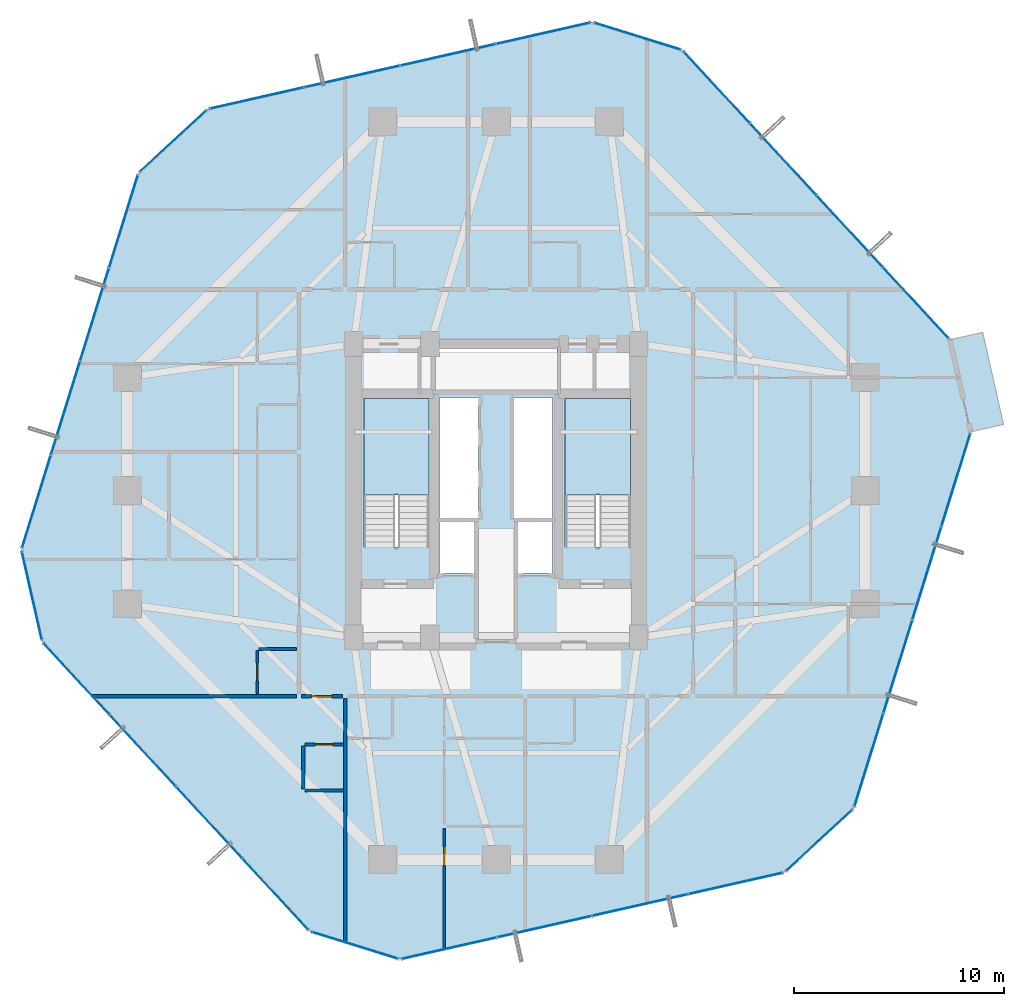
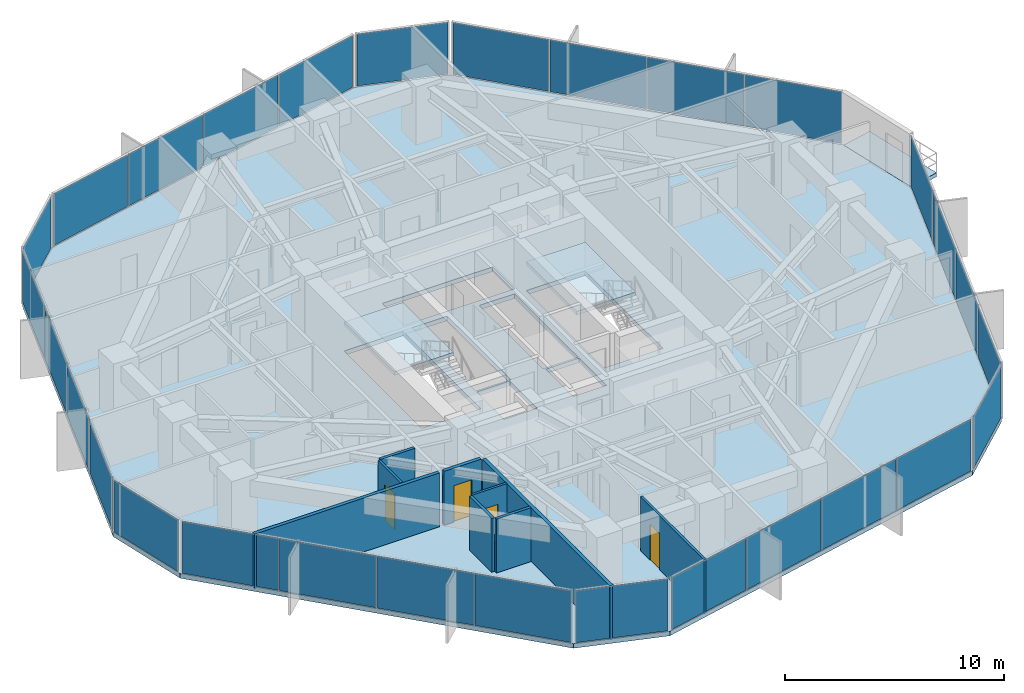
# One storey, part 33 of 39: 29 plates, 9 walls, 4 doors, 4 slabs, 4 openings, 13 elements without a shape of their own.
"""IFC4 building model written with IfcOpenShell, lengths in metres."""

from ifc_helpers import new_model, si_unit, direction, frame, frame_2d, origin, origin_2d, place, context, subcontext, project, spatial, polyline, rectangle, outline, extrude, source, transform, mapped, material, layer, layer_set, type_object, element, fill, aggregate, save


model = new_model("IFC4")

# Units and contexts
model_context = context("Model", 3, precision=1e-05, world=origin(), true_north=direction((0.0, 1.0)))
body_context = subcontext(model_context, "Body", "Model", "MODEL_VIEW")
ifc_project = project(units=[si_unit("LENGTHUNIT", "METRE"), si_unit("AREAUNIT", "SQUARE_METRE"), si_unit("VOLUMEUNIT", "CUBIC_METRE"), si_unit("PLANEANGLEUNIT", "RADIAN"), si_unit("MASSUNIT", "GRAM", prefix="KILO")], contexts=[model_context])

# Site, building, storey
site_placement = place(None, origin())
site = spatial("IfcSite", under=ifc_project, at=site_placement, CompositionType="ELEMENT")
building_placement = place(site_placement, origin())
building = spatial("IfcBuilding", under=site, at=building_placement, Name="Veraguas Prism Commons", CompositionType="ELEMENT")
storey_placement = place(building_placement, frame((0.0, 0.0, 67.35009765625)))
storey = spatial("IfcBuildingStorey", under=building, at=storey_placement, Name="L18", CompositionType="ELEMENT", Elevation=67.35009765625)

# Stair, slab
ifc_material_1 = material(Name="Precast concrete C45/55", Category="concrete")
stair_type = type_object("IfcStairType", Name="Dogleg Core Stair 1480W 20R 05", PredefinedType="HALF_TURN_STAIR", material=ifc_material_1)
stair_1_placement = place(storey_placement, origin())
stair_1 = element("IfcStair", 1, at=stair_1_placement, inside=storey, type_object=stair_type, Name="Protected Exit Stair ST-01 L18", PredefinedType="HALF_TURN_STAIR")
ifc_layer_1 = layer(ifc_material_1, 0.199951171875, Name="Precast Stair and Ramp Landing Slab 200", Category="concrete")
ifc_layer_set_1 = layer_set([ifc_layer_1], Name="Precast concrete C45/55")
slab_type_1 = type_object("IfcSlabType", Name="Precast Stair and Ramp Landing Slab 200", PredefinedType="LANDING", material=ifc_layer_set_1)
slab_1_placement = place(storey_placement, frame((0.0, 0.0, 1.4248046875)))
slab_1 = element("IfcSlab", 2, at=slab_1_placement, type_object=slab_type_1, Name="ST-05 Landing 1", PredefinedType="LANDING", context=body_context, shape_type="SweptSolid", body=[
    extrude(outline(polyline([(20.800048828125, 23.800048828125), (20.800048828125, 28.39990234375), (17.68994140625, 28.39990234375), (17.68994140625, 23.800048828125), (20.800048828125, 23.800048828125)])), origin(), (0.0, 0.0, 1.0), 0.2001953125),
])
aggregate(stair_1, [slab_1])

stair_2_placement = place(storey_placement, origin())
stair_2 = element("IfcStair", 3, at=stair_2_placement, inside=storey, type_object=stair_type, Name="Protected Exit Stair ST-02 L18", PredefinedType="HALF_TURN_STAIR")
slab_2_placement = place(storey_placement, frame((0.0, 0.0, 1.4248046875)))
slab_2 = element("IfcSlab", 4, at=slab_2_placement, type_object=slab_type_1, Name="ST-05 Landing 1", PredefinedType="LANDING", context=body_context, shape_type="SweptSolid", body=[
    extrude(outline(polyline([(30.39990234375, 23.800048828125), (30.39990234375, 28.39990234375), (27.2900390625, 28.39990234375), (27.2900390625, 23.800048828125), (30.39990234375, 23.800048828125)])), origin(), (0.0, 0.0, 1.0), 0.2001953125),
])
aggregate(stair_2, [slab_2])

# Slabs
ifc_material_2 = material(Name="Concrete C45/55", Category="concrete")
ifc_layer_2 = layer(ifc_material_2, 0.219970703125, Name="Recessed Loggia and Terrace Slab RC 220", Category="concrete")
ifc_layer_set_2 = layer_set([ifc_layer_2], Name="Concrete C45/55")
slab_type_2 = type_object("IfcSlabType", Name="Recessed Loggia and Terrace Slab RC 220", PredefinedType="FLOOR", material=ifc_layer_set_2)
slab_3_placement = place(storey_placement, frame((0.0, 0.0, -0.22021484375)))
element("IfcSlab", 5, at=slab_3_placement, inside=storey, type_object=slab_type_2, Name="Recessed Corner Loggia L18-C1", PredefinedType="FLOOR", context=body_context, shape_type="SweptSolid", body=[
    extrude(outline(polyline([(46.618896484375, 26.80712890625), (48.198974609375, 27.16455078125), (47.20654296875, 31.5537109375), (45.62646484375, 31.1962890625), (46.618896484375, 26.80712890625)])), origin(), (0.0, 0.0, 1.0), 0.22021484375),
])
ifc_layer_3 = layer(ifc_material_2, 0.25, Name="Tower Lower Residential Floor Slab RC 250", Category="concrete")
ifc_layer_set_3 = layer_set([ifc_layer_3], Name="Concrete C45/55")
slab_type_3 = type_object("IfcSlabType", Name="Tower Lower Residential Floor Slab RC 250", PredefinedType="FLOOR", material=ifc_layer_set_3)
slab_4_placement = place(storey_placement, frame((0.0, 0.0, -0.25)))
element("IfcSlab", 6, at=slab_4_placement, inside=storey, type_object=slab_type_3, Name="Tower Floor Slab L18", PredefinedType="FLOOR", context=body_context, shape_type="SweptSolid", body=[
    extrude(outline(polyline([(46.63818359375, 26.8115234375), (45.64599609375, 31.20068359375), (32.88427734375, 45.010986328125), (28.5869140625, 46.34619140625), (10.24609375, 42.199462890625), (6.94091796875, 39.1455078125), (1.36181640625, 21.1884765625), (2.35400390625, 16.79931640625), (15.11572265625, 2.989013671875), (19.4130859375, 1.65380859375), (37.75390625, 5.800537109375), (41.05908203125, 8.8544921875), (46.63818359375, 26.8115234375)]), holes=[polyline([(20.800048828125, 21.31005859375), (20.800048828125, 28.39990234375), (17.68994140625, 28.39990234375), (17.68994140625, 21.31005859375), (20.800048828125, 21.31005859375)]), polyline([(30.39990234375, 21.31005859375), (30.39990234375, 28.39990234375), (27.2900390625, 28.39990234375), (27.2900390625, 21.31005859375), (30.39990234375, 21.31005859375)]), polyline([(21.300048828125, 22.64990234375), (23.14990234375, 22.64990234375), (23.14990234375, 28.449951171875), (21.300048828125, 28.449951171875), (21.300048828125, 22.64990234375)]), polyline([(24.85009765625, 22.64990234375), (26.699951171875, 22.64990234375), (26.699951171875, 28.449951171875), (24.85009765625, 28.449951171875), (24.85009765625, 22.64990234375)]), polyline([(21.10009765625, 28.800048828125), (26.89990234375, 28.800048828125), (26.89990234375, 30.800048828125), (21.10009765625, 30.800048828125), (21.10009765625, 28.800048828125)]), polyline([(21.300048828125, 20.050048828125), (23.050048828125, 20.050048828125), (23.050048828125, 22.550048828125), (21.300048828125, 22.550048828125), (21.300048828125, 20.050048828125)]), polyline([(24.949951171875, 20.050048828125), (26.699951171875, 20.050048828125), (26.699951171875, 22.550048828125), (24.949951171875, 22.550048828125), (24.949951171875, 20.050048828125)])]), origin(), (0.0, 0.0, 1.0), 0.25),
])

# Curtain wall, plates
ifc_material_3 = material(Name="Anodised aluminium EN AW-6063 T6", Category="aluminium")
ifc_layer_4 = layer(ifc_material_3, 0.169921875, Name="Unitised Flush Curtain Wall Zone 1", Category="aluminium")
ifc_layer_set_4 = layer_set([ifc_layer_4], Name="Anodised aluminium EN AW-6063 T6")
curtain_wall_type = type_object("IfcCurtainWallType", Name="Unitised Flush Curtain Wall Zone 1", PredefinedType="NOTDEFINED", material=ifc_layer_set_4)
curtain_wall_1_placement = place(storey_placement, origin())
curtain_wall_1 = element("IfcCurtainWall", 7, at=curtain_wall_1_placement, inside=storey, type_object=curtain_wall_type, Name="Tower Facade Curtain Wall L18-F1", PredefinedType="NOTDEFINED")
ifc_material_4 = material(Name="Laminated low-e glass", Category="glass")
ifc_layer_5 = layer(ifc_material_4, 0.028076171875, Name="Unitised Double Low-E Glazed Panel 28", Category="glass")
ifc_layer_set_5 = layer_set([ifc_layer_5], Name="Laminated low-e glass")
plate_type = type_object("IfcPlateType", Name="Unitised Double Low-E Glazed Panel 28", PredefinedType="CURTAIN_PANEL", material=ifc_layer_set_5)
shared_shape_1 = source(origin(), body_context, "Body", "SweptSolid", [
    extrude(rectangle(XDim=4.5810546875, YDim=0.028076171875, at=origin_2d()), origin(), (0.0, 0.0, 1.0), 2.889892578125),
])
plate_1_placement = place(storey_placement, frame((44.010009765625, 32.97119140625, 0.05517578125), z_axis=(0.0, 0.0, 1.0), x_axis=(-0.678677699088, 0.734436233284, 0.0)))
plate_1 = element("IfcPlate", 8, at=plate_1_placement, type_object=plate_type, Name="CW-Z1 Panel 1.1", PredefinedType="CURTAIN_PANEL", context=body_context, shape_type="MappedRepresentation", body=[
    mapped(shared_shape_1, transform((0.0, 0.0, 0.0), scale=1.0)),
])
plate_2_placement = place(storey_placement, frame((34.52001953125, 43.24072265625, 0.05517578125), z_axis=(0.0, 0.0, 1.0), x_axis=(-0.678677699088, 0.734436233284, 0.0)))
plate_2 = element("IfcPlate", 9, at=plate_2_placement, type_object=plate_type, Name="CW-Z1 Panel 4.1", PredefinedType="CURTAIN_PANEL", context=body_context, shape_type="MappedRepresentation", body=[
    mapped(shared_shape_1, transform((0.0, 0.0, 0.0), scale=1.0)),
])

curtain_wall_2_placement = place(storey_placement, origin())
curtain_wall_2 = element("IfcCurtainWall", 10, at=curtain_wall_2_placement, inside=storey, type_object=curtain_wall_type, Name="Tower Facade Curtain Wall L18-F2", PredefinedType="NOTDEFINED")
plate_3_placement = place(storey_placement, frame((26.23583984375, 45.814697265625, 0.05517578125), z_axis=(0.0, 0.0, 1.0), x_axis=(-0.975379669931, -0.220532309392, 0.0)))
plate_3 = element("IfcPlate", 11, at=plate_3_placement, type_object=plate_type, Name="CW-Z1 Panel 1.1", PredefinedType="CURTAIN_PANEL", context=body_context, shape_type="MappedRepresentation", body=[
    mapped(shared_shape_1, transform((0.0, 0.0, 0.0), scale=1.0)),
])
plate_4_placement = place(storey_placement, frame((12.59716796875, 42.73095703125, 0.05517578125), z_axis=(0.0, 0.0, 1.0), x_axis=(-0.975379669931, -0.220532309392, 0.0)))
plate_4 = element("IfcPlate", 12, at=plate_4_placement, type_object=plate_type, Name="CW-Z1 Panel 4.1", PredefinedType="CURTAIN_PANEL", context=body_context, shape_type="MappedRepresentation", body=[
    mapped(shared_shape_1, transform((0.0, 0.0, 0.0), scale=1.0)),
])

curtain_wall_3_placement = place(storey_placement, origin())
curtain_wall_3 = element("IfcCurtainWall", 13, at=curtain_wall_3_placement, inside=storey, type_object=curtain_wall_type, Name="Tower Facade Curtain Wall L18-F3", PredefinedType="NOTDEFINED")
plate_5_placement = place(storey_placement, frame((6.225830078125, 36.843505859375, 0.05517578125), z_axis=(0.0, 0.0, 1.0), x_axis=(-0.296709919616, -0.954967655788, 0.0)))
plate_5 = element("IfcPlate", 14, at=plate_5_placement, type_object=plate_type, Name="CW-Z1 Panel 1.1", PredefinedType="CURTAIN_PANEL", context=body_context, shape_type="MappedRepresentation", body=[
    mapped(shared_shape_1, transform((0.0, 0.0, 0.0), scale=1.0)),
])
plate_6_placement = place(storey_placement, frame((2.076904296875, 23.490234375, 0.05517578125), z_axis=(0.0, 0.0, 1.0), x_axis=(-0.296709919616, -0.954967655788, 0.0)))
plate_6 = element("IfcPlate", 15, at=plate_6_placement, type_object=plate_type, Name="CW-Z1 Panel 4.1", PredefinedType="CURTAIN_PANEL", context=body_context, shape_type="MappedRepresentation", body=[
    mapped(shared_shape_1, transform((0.0, 0.0, 0.0), scale=1.0)),
])

curtain_wall_4_placement = place(storey_placement, origin())
curtain_wall_4 = element("IfcCurtainWall", 16, at=curtain_wall_4_placement, inside=storey, type_object=curtain_wall_type, Name="Tower Facade Curtain Wall L18-F4", PredefinedType="NOTDEFINED")
plate_7_placement = place(storey_placement, frame((3.989990234375, 15.02880859375, 0.05517578125), z_axis=(0.0, 0.0, 1.0), x_axis=(0.678677699088, -0.734436233284, 0.0)))
plate_7 = element("IfcPlate", 17, at=plate_7_placement, type_object=plate_type, Name="CW-Z1 Panel 1.1", PredefinedType="CURTAIN_PANEL", context=body_context, shape_type="MappedRepresentation", body=[
    mapped(shared_shape_1, transform((0.0, 0.0, 0.0), scale=1.0)),
])
plate_8_placement = place(storey_placement, frame((13.47998046875, 4.75927734375, 0.05517578125), z_axis=(0.0, 0.0, 1.0), x_axis=(0.678677699088, -0.734436233284, 0.0)))
plate_8 = element("IfcPlate", 18, at=plate_8_placement, type_object=plate_type, Name="CW-Z1 Panel 4.1", PredefinedType="CURTAIN_PANEL", context=body_context, shape_type="MappedRepresentation", body=[
    mapped(shared_shape_1, transform((0.0, 0.0, 0.0), scale=1.0)),
])

curtain_wall_5_placement = place(storey_placement, origin())
curtain_wall_5 = element("IfcCurtainWall", 19, at=curtain_wall_5_placement, inside=storey, type_object=curtain_wall_type, Name="Tower Facade Curtain Wall L18-F5", PredefinedType="NOTDEFINED")
plate_9_placement = place(storey_placement, frame((21.76416015625, 2.185302734375, 0.05517578125), z_axis=(0.0, 0.0, 1.0), x_axis=(0.975379669931, 0.220532309392, 0.0)))
plate_9 = element("IfcPlate", 20, at=plate_9_placement, type_object=plate_type, Name="CW-Z1 Panel 1.1", PredefinedType="CURTAIN_PANEL", context=body_context, shape_type="MappedRepresentation", body=[
    mapped(shared_shape_1, transform((0.0, 0.0, 0.0), scale=1.0)),
])
plate_10_placement = place(storey_placement, frame((35.40283203125, 5.26904296875, 0.05517578125), z_axis=(0.0, 0.0, 1.0), x_axis=(0.975379669931, 0.220532309392, 0.0)))
plate_10 = element("IfcPlate", 21, at=plate_10_placement, type_object=plate_type, Name="CW-Z1 Panel 4.1", PredefinedType="CURTAIN_PANEL", context=body_context, shape_type="MappedRepresentation", body=[
    mapped(shared_shape_1, transform((0.0, 0.0, 0.0), scale=1.0)),
])

curtain_wall_6_placement = place(storey_placement, origin())
curtain_wall_6 = element("IfcCurtainWall", 22, at=curtain_wall_6_placement, inside=storey, type_object=curtain_wall_type, Name="Tower Facade Curtain Wall L18-F6", PredefinedType="NOTDEFINED")
plate_11_placement = place(storey_placement, frame((41.774169921875, 11.156494140625, 0.05517578125), z_axis=(0.0, 0.0, 1.0), x_axis=(0.296709919616, 0.954967655788, 0.0)))
plate_11 = element("IfcPlate", 23, at=plate_11_placement, type_object=plate_type, Name="CW-Z1 Panel 1.1", PredefinedType="CURTAIN_PANEL", context=body_context, shape_type="MappedRepresentation", body=[
    mapped(shared_shape_1, transform((0.0, 0.0, 0.0), scale=1.0)),
])
plate_12_placement = place(storey_placement, frame((45.923095703125, 24.509765625, 0.05517578125), z_axis=(0.0, 0.0, 1.0), x_axis=(0.296709919616, 0.954967655788, 0.0)))
plate_12 = element("IfcPlate", 24, at=plate_12_placement, type_object=plate_type, Name="CW-Z1 Panel 4.1", PredefinedType="CURTAIN_PANEL", context=body_context, shape_type="MappedRepresentation", body=[
    mapped(shared_shape_1, transform((0.0, 0.0, 0.0), scale=1.0)),
])

# Plate
shared_shape_2 = source(origin(), body_context, "Body", "SweptSolid", [
    extrude(rectangle(XDim=4.611083984375, YDim=0.028076171875, at=origin_2d()), origin(), (0.0, 0.0, 1.0), 2.889892578125),
])
plate_13_placement = place(storey_placement, frame((21.6943359375, 44.787841796875, 0.05517578125), z_axis=(0.0, 0.0, 1.0), x_axis=(-0.975379669931, -0.220532309392, 0.0)))
plate_13 = element("IfcPlate", 25, at=plate_13_placement, type_object=plate_type, Name="CW-Z1 Panel 2.1", PredefinedType="CURTAIN_PANEL", context=body_context, shape_type="MappedRepresentation", body=[
    mapped(shared_shape_2, transform((0.0, 0.0, 0.0), scale=1.0)),
])

plate_14_placement = place(storey_placement, frame((17.138427734375, 43.7578125, 0.05517578125), z_axis=(0.0, 0.0, 1.0), x_axis=(-0.975379669931, -0.220532309392, 0.0)))
plate_14 = element("IfcPlate", 26, at=plate_14_placement, type_object=plate_type, Name="CW-Z1 Panel 3.1", PredefinedType="CURTAIN_PANEL", context=body_context, shape_type="MappedRepresentation", body=[
    mapped(shared_shape_2, transform((0.0, 0.0, 0.0), scale=1.0)),
])

aggregate(curtain_wall_2, [plate_3, plate_13, plate_14, plate_4])

plate_15_placement = place(storey_placement, frame((4.84423828125, 32.397216796875, 0.05517578125), z_axis=(0.0, 0.0, 1.0), x_axis=(-0.296709919616, -0.954967655788, 0.0)))
plate_15 = element("IfcPlate", 27, at=plate_15_placement, type_object=plate_type, Name="CW-Z1 Panel 2.1", PredefinedType="CURTAIN_PANEL", context=body_context, shape_type="MappedRepresentation", body=[
    mapped(shared_shape_2, transform((0.0, 0.0, 0.0), scale=1.0)),
])

plate_16_placement = place(storey_placement, frame((3.45849609375, 27.9365234375, 0.05517578125), z_axis=(0.0, 0.0, 1.0), x_axis=(-0.296709919616, -0.954967655788, 0.0)))
plate_16 = element("IfcPlate", 28, at=plate_16_placement, type_object=plate_type, Name="CW-Z1 Panel 3.1", PredefinedType="CURTAIN_PANEL", context=body_context, shape_type="MappedRepresentation", body=[
    mapped(shared_shape_2, transform((0.0, 0.0, 0.0), scale=1.0)),
])

aggregate(curtain_wall_3, [plate_5, plate_15, plate_16, plate_6])

plate_17_placement = place(storey_placement, frame((26.3056640625, 3.212158203125, 0.05517578125), z_axis=(0.0, 0.0, 1.0), x_axis=(0.975379669931, 0.220532309392, 0.0)))
plate_17 = element("IfcPlate", 29, at=plate_17_placement, type_object=plate_type, Name="CW-Z1 Panel 2.1", PredefinedType="CURTAIN_PANEL", context=body_context, shape_type="MappedRepresentation", body=[
    mapped(shared_shape_2, transform((0.0, 0.0, 0.0), scale=1.0)),
])

plate_18_placement = place(storey_placement, frame((30.861572265625, 4.2421875, 0.05517578125), z_axis=(0.0, 0.0, 1.0), x_axis=(0.975379669931, 0.220532309392, 0.0)))
plate_18 = element("IfcPlate", 30, at=plate_18_placement, type_object=plate_type, Name="CW-Z1 Panel 3.1", PredefinedType="CURTAIN_PANEL", context=body_context, shape_type="MappedRepresentation", body=[
    mapped(shared_shape_2, transform((0.0, 0.0, 0.0), scale=1.0)),
])

aggregate(curtain_wall_5, [plate_9, plate_17, plate_18, plate_10])

plate_19_placement = place(storey_placement, frame((43.15576171875, 15.602783203125, 0.05517578125), z_axis=(0.0, 0.0, 1.0), x_axis=(0.296709919616, 0.954967655788, 0.0)))
plate_19 = element("IfcPlate", 31, at=plate_19_placement, type_object=plate_type, Name="CW-Z1 Panel 2.1", PredefinedType="CURTAIN_PANEL", context=body_context, shape_type="MappedRepresentation", body=[
    mapped(shared_shape_2, transform((0.0, 0.0, 0.0), scale=1.0)),
])

plate_20_placement = place(storey_placement, frame((44.54150390625, 20.0634765625, 0.05517578125), z_axis=(0.0, 0.0, 1.0), x_axis=(0.296709919616, 0.954967655788, 0.0)))
plate_20 = element("IfcPlate", 32, at=plate_20_placement, type_object=plate_type, Name="CW-Z1 Panel 3.1", PredefinedType="CURTAIN_PANEL", context=body_context, shape_type="MappedRepresentation", body=[
    mapped(shared_shape_2, transform((0.0, 0.0, 0.0), scale=1.0)),
])

aggregate(curtain_wall_6, [plate_11, plate_19, plate_20, plate_12])

shared_shape_3 = source(origin(), body_context, "Body", "SweptSolid", [
    extrude(rectangle(XDim=4.61083984375, YDim=0.028076171875, at=origin_2d()), origin(), (0.0, 0.0, 1.0), 2.889892578125),
])
plate_21_placement = place(storey_placement, frame((40.85009765625, 36.390625, 0.05517578125), z_axis=(0.0, 0.0, 1.0), x_axis=(-0.678677699088, 0.734436233284, 0.0)))
plate_21 = element("IfcPlate", 33, at=plate_21_placement, type_object=plate_type, Name="CW-Z1 Panel 2.1", PredefinedType="CURTAIN_PANEL", context=body_context, shape_type="MappedRepresentation", body=[
    mapped(shared_shape_3, transform((0.0, 0.0, 0.0), scale=1.0)),
])

plate_22_placement = place(storey_placement, frame((37.679931640625, 39.8212890625, 0.05517578125), z_axis=(0.0, 0.0, 1.0), x_axis=(-0.678677699088, 0.734436233284, 0.0)))
plate_22 = element("IfcPlate", 34, at=plate_22_placement, type_object=plate_type, Name="CW-Z1 Panel 3.1", PredefinedType="CURTAIN_PANEL", context=body_context, shape_type="MappedRepresentation", body=[
    mapped(shared_shape_3, transform((0.0, 0.0, 0.0), scale=1.0)),
])

aggregate(curtain_wall_1, [plate_1, plate_21, plate_22, plate_2])

plate_23_placement = place(storey_placement, frame((7.14990234375, 11.609375, 0.05517578125), z_axis=(0.0, 0.0, 1.0), x_axis=(0.678677699088, -0.734436233284, 0.0)))
plate_23 = element("IfcPlate", 35, at=plate_23_placement, type_object=plate_type, Name="CW-Z1 Panel 2.1", PredefinedType="CURTAIN_PANEL", context=body_context, shape_type="MappedRepresentation", body=[
    mapped(shared_shape_3, transform((0.0, 0.0, 0.0), scale=1.0)),
])

plate_24_placement = place(storey_placement, frame((10.320068359375, 8.1787109375, 0.05517578125), z_axis=(0.0, 0.0, 1.0), x_axis=(0.678677699088, -0.734436233284, 0.0)))
plate_24 = element("IfcPlate", 36, at=plate_24_placement, type_object=plate_type, Name="CW-Z1 Panel 3.1", PredefinedType="CURTAIN_PANEL", context=body_context, shape_type="MappedRepresentation", body=[
    mapped(shared_shape_3, transform((0.0, 0.0, 0.0), scale=1.0)),
])

aggregate(curtain_wall_4, [plate_7, plate_23, plate_24, plate_8])

# Curtain wall, plate
curtain_wall_7_placement = place(storey_placement, origin())
curtain_wall_7 = element("IfcCurtainWall", 37, at=curtain_wall_7_placement, inside=storey, type_object=curtain_wall_type, Name="Chamfer Curtain Wall L18-C2", PredefinedType="NOTDEFINED")
shared_shape_4 = source(origin(), body_context, "Body", "SweptSolid", [
    extrude(rectangle(XDim=4.260009765625, YDim=0.028076171875, at=origin_2d()), origin(), (0.0, 0.0, 1.0), 2.889892578125),
])
plate_25_placement = place(storey_placement, frame((30.735595703125, 45.6787109375, 0.05517578125), z_axis=(0.0, 0.0, 1.0), x_axis=(-0.954965584339, 0.296716586541, 0.0)))
plate_25 = element("IfcPlate", 38, at=plate_25_placement, type_object=plate_type, Name="CW-Z1 Panel 1.1", PredefinedType="CURTAIN_PANEL", context=body_context, shape_type="MappedRepresentation", body=[
    mapped(shared_shape_4, transform((0.0, 0.0, 0.0), scale=1.0)),
])
aggregate(curtain_wall_7, [plate_25])

curtain_wall_8_placement = place(storey_placement, origin())
curtain_wall_8 = element("IfcCurtainWall", 39, at=curtain_wall_8_placement, inside=storey, type_object=curtain_wall_type, Name="Chamfer Curtain Wall L18-C3", PredefinedType="NOTDEFINED")
plate_26_placement = place(storey_placement, frame((8.593505859375, 40.672607421875, 0.05517578125), z_axis=(0.0, 0.0, 1.0), x_axis=(-0.734433864248, -0.67868026275, 0.0)))
plate_26 = element("IfcPlate", 40, at=plate_26_placement, type_object=plate_type, Name="CW-Z1 Panel 1.1", PredefinedType="CURTAIN_PANEL", context=body_context, shape_type="MappedRepresentation", body=[
    mapped(shared_shape_4, transform((0.0, 0.0, 0.0), scale=1.0)),
])
aggregate(curtain_wall_8, [plate_26])

curtain_wall_9_placement = place(storey_placement, origin())
curtain_wall_9 = element("IfcCurtainWall", 41, at=curtain_wall_9_placement, inside=storey, type_object=curtain_wall_type, Name="Chamfer Curtain Wall L18-C4", PredefinedType="NOTDEFINED")
plate_27_placement = place(storey_placement, frame((1.85791015625, 18.993896484375, 0.05517578125), z_axis=(0.0, 0.0, 1.0), x_axis=(0.22054592824, -0.975376590624, 0.0)))
plate_27 = element("IfcPlate", 42, at=plate_27_placement, type_object=plate_type, Name="CW-Z1 Panel 1.1", PredefinedType="CURTAIN_PANEL", context=body_context, shape_type="MappedRepresentation", body=[
    mapped(shared_shape_4, transform((0.0, 0.0, 0.0), scale=1.0)),
])
aggregate(curtain_wall_9, [plate_27])

curtain_wall_10_placement = place(storey_placement, origin())
curtain_wall_10 = element("IfcCurtainWall", 43, at=curtain_wall_10_placement, inside=storey, type_object=curtain_wall_type, Name="Chamfer Curtain Wall L18-C5", PredefinedType="NOTDEFINED")
plate_28_placement = place(storey_placement, frame((17.264404296875, 2.3212890625, 0.05517578125), z_axis=(0.0, 0.0, 1.0), x_axis=(0.954965584339, -0.296716586541, 0.0)))
plate_28 = element("IfcPlate", 44, at=plate_28_placement, type_object=plate_type, Name="CW-Z1 Panel 1.1", PredefinedType="CURTAIN_PANEL", context=body_context, shape_type="MappedRepresentation", body=[
    mapped(shared_shape_4, transform((0.0, 0.0, 0.0), scale=1.0)),
])
aggregate(curtain_wall_10, [plate_28])

curtain_wall_11_placement = place(storey_placement, origin())
curtain_wall_11 = element("IfcCurtainWall", 45, at=curtain_wall_11_placement, inside=storey, type_object=curtain_wall_type, Name="Chamfer Curtain Wall L18-C6", PredefinedType="NOTDEFINED")
plate_29_placement = place(storey_placement, frame((39.406494140625, 7.327392578125, 0.05517578125), z_axis=(0.0, 0.0, 1.0), x_axis=(0.734433864248, 0.67868026275, 0.0)))
plate_29 = element("IfcPlate", 46, at=plate_29_placement, type_object=plate_type, Name="CW-Z1 Panel 1.1", PredefinedType="CURTAIN_PANEL", context=body_context, shape_type="MappedRepresentation", body=[
    mapped(shared_shape_4, transform((0.0, 0.0, 0.0), scale=1.0)),
])
aggregate(curtain_wall_11, [plate_29])

# Walls
ifc_material_5 = material(Name="Autoclaved aerated masonry block 10 MPa", Category="masonry")
ifc_layer_6 = layer(ifc_material_5, 0.179931640625, Name="Corridor and Inter-Tenancy Partition 180", Category="masonry")
ifc_layer_set_6 = layer_set([ifc_layer_6], Name="Autoclaved aerated masonry block 10 MPa")
wall_type_1 = type_object("IfcWallType", Name="Corridor and Inter-Tenancy Partition 180", PredefinedType="PARTITIONING", material=ifc_layer_set_6)
wall_1_placement = place(storey_placement, frame((16.800048828125, 14.080078125, 0.0), z_axis=(0.0, 0.0, 1.0), x_axis=(0.0, -1.0, 0.0)))
element("IfcWall", 47, at=wall_1_placement, inside=storey, type_object=wall_type_1, Name="WL-L18-PT001", PredefinedType="PARTITIONING", context=body_context, shape_type="SweptSolid", body=[
    extrude(rectangle(XDim=11.64599609375, YDim=0.179931640625, at=frame_2d((5.822998046875, 0.0))), origin(), (0.0, 0.0, 1.0), 3.0),
])
wall_2_placement = place(storey_placement, frame((14.47998046875, 14.199951171875, 0.0), z_axis=(0.0, 0.0, 1.0), x_axis=(-1.0, 0.0, 0.0)))
element("IfcWall", 48, at=wall_2_placement, inside=storey, type_object=wall_type_1, Name="WL-L18-PT026", PredefinedType="PARTITIONING", context=body_context, shape_type="SweptSolid", body=[
    extrude(rectangle(XDim=9.764892578125, YDim=0.179931640625, at=frame_2d((4.88232421875, 0.0))), origin(), (0.0, 0.0, 1.0), 3.0),
])

# Wall, opening, door
wall_3_placement = place(storey_placement, frame((14.719970703125, 14.199951171875, 0.0), z_axis=(0.0, 0.0, 1.0), x_axis=(1.0, 0.0, 0.0)))
wall_3 = element("IfcWall", 49, at=wall_3_placement, inside=storey, type_object=wall_type_1, Name="WL-L18-PT060", PredefinedType="PARTITIONING", context=body_context, shape_type="SweptSolid", body=[
    extrude(rectangle(XDim=1.9599609375, YDim=0.179931640625, at=frame_2d((0.97998046875, 0.0))), origin(), (0.0, 0.0, 1.0), 3.0),
])
opening_1_placement = place(wall_3_placement, frame((0.5048828125, 0.0, 0.0)))
opening_1 = element("IfcOpeningElement", 50, at=opening_1_placement, cuts=wall_3, Name="Opening DR-01", PredefinedType="OPENING", context=body_context, shape_type="SweptSolid", body=[
    extrude(rectangle(XDim=0.949951171875, YDim=2.02001953125, at=frame_2d((0.47509765625, 1.010009765625))), frame((0.0, 0.099853515625, 0.0), z_axis=(0.0, -1.0, 0.0), x_axis=(1.0, 0.0, 0.0)), (0.0, 0.0, 1.0), 0.199951171875),
])
door_type_1 = type_object("IfcDoorType", Name="Apartment Entrance Fire Door 950x2020", OperationType="NOTDEFINED", PredefinedType="DOOR", material=ifc_material_3)
shared_shape_5 = source(origin(), body_context, "Body", "SweptSolid", [
    extrude(rectangle(XDim=0.949951171875, YDim=2.02001953125, at=frame_2d((0.47509765625, 1.010009765625))), frame((0.0, 0.02490234375, 0.0), z_axis=(0.0, -1.0, 0.0), x_axis=(1.0, 0.0, 0.0)), (0.0, 0.0, 1.0), 0.050048828125),
])
door_1_placement = place(opening_1_placement, origin())
door_1 = element("IfcDoor", 51, at=door_1_placement, inside=storey, type_object=door_type_1, Name="Studio 18H Entrance Door", OperationType="SINGLE_SWING_RIGHT", OverallHeight=2.02001953125, OverallWidth=0.949951171875, PredefinedType="DOOR", context=body_context, shape_type="MappedRepresentation", body=[
    mapped(shared_shape_5, transform((0.0, 0.0, 0.0), scale=1.0)),
])
fill(opening_1, door_1)

ifc_material_6 = material(Name="Lightweight acoustic gypsum board")
ifc_layer_7 = layer(ifc_material_6, 0.125, Name="Internal Apartment Room Partition 125")
ifc_layer_set_7 = layer_set([ifc_layer_7], Name="Lightweight acoustic gypsum board")
wall_type_2 = type_object("IfcWallType", Name="Internal Apartment Room Partition 125", PredefinedType="PARTITIONING", material=ifc_layer_set_7)
wall_4_placement = place(storey_placement, frame((21.52587890625, 7.89990234375, 0.0), z_axis=(0.0, 0.0, 1.0), x_axis=(0.0, -1.0, 0.0)))
wall_4 = element("IfcWall", 52, at=wall_4_placement, inside=storey, type_object=wall_type_2, Name="WL-L18-PT010", PredefinedType="PARTITIONING", context=body_context, shape_type="SweptSolid", body=[
    extrude(rectangle(XDim=5.79931640625, YDim=0.125, at=frame_2d((2.899658203125, 0.0))), origin(), (0.0, 0.0, 1.0), 3.0),
])
opening_2_placement = place(wall_4_placement, frame((0.875, 0.0, 0.0)))
opening_2 = element("IfcOpeningElement", 53, at=opening_2_placement, cuts=wall_4, Name="Opening DR-02", PredefinedType="OPENING", context=body_context, shape_type="SweptSolid", body=[
    extrude(rectangle(XDim=0.89990234375, YDim=2.010009765625, at=frame_2d((0.449951171875, 1.0048828125))), frame((0.0, 0.072509765625, 0.0), z_axis=(0.0, -1.0, 0.0), x_axis=(1.0, 0.0, 0.0)), (0.0, 0.0, 1.0), 0.14501953125),
])
ifc_material_7 = material(Name="Timber solid core hardwood", Category="wood")
door_type_2 = type_object("IfcDoorType", Name="Internal Habitable Room Door 900x2010", OperationType="NOTDEFINED", PredefinedType="DOOR", material=ifc_material_7)
shared_shape_6 = source(origin(), body_context, "Body", "SweptSolid", [
    extrude(rectangle(XDim=0.89990234375, YDim=2.010009765625, at=frame_2d((0.449951171875, 1.0048828125))), frame((0.0, 0.02490234375, 0.0), z_axis=(0.0, -1.0, 0.0), x_axis=(1.0, 0.0, 0.0)), (0.0, 0.0, 1.0), 0.050048828125),
])
door_2_placement = place(opening_2_placement, origin())
door_2 = element("IfcDoor", 54, at=door_2_placement, inside=storey, type_object=door_type_2, Name="Flat 18A Bedroom 2 Door", OperationType="SINGLE_SWING_RIGHT", OverallHeight=2.010009765625, OverallWidth=0.89990234375, PredefinedType="DOOR", context=body_context, shape_type="MappedRepresentation", body=[
    mapped(shared_shape_6, transform((0.0, 0.0, 0.0), scale=1.0)),
])
fill(opening_2, door_2)

wall_5_placement = place(storey_placement, frame((12.60009765625, 14.320068359375, 0.0), z_axis=(0.0, 0.0, 1.0), x_axis=(0.0, 1.0, 0.0)))
wall_5 = element("IfcWall", 55, at=wall_5_placement, inside=storey, type_object=wall_type_2, Name="WL-L18-PT030", PredefinedType="PARTITIONING", context=body_context, shape_type="SweptSolid", body=[
    extrude(rectangle(XDim=2.050048828125, YDim=0.125, at=frame_2d((1.02490234375, 0.0))), origin(), (0.0, 0.0, 1.0), 3.0),
])
opening_3_placement = place(wall_5_placement, frame((0.594970703125, 0.0, 0.0)))
opening_3 = element("IfcOpeningElement", 56, at=opening_3_placement, cuts=wall_5, Name="Opening DR-03", PredefinedType="OPENING", context=body_context, shape_type="SweptSolid", body=[
    extrude(rectangle(XDim=0.860107421875, YDim=2.010009765625, at=frame_2d((0.43017578125, 1.0048828125))), frame((0.0, 0.072509765625, 0.0), z_axis=(0.0, -1.0, 0.0), x_axis=(1.0, 0.0, 0.0)), (0.0, 0.0, 1.0), 0.14501953125),
])
ifc_material_8 = material(Name="Timber moisture-resistant leaf", Category="wood")
door_type_3 = type_object("IfcDoorType", Name="Internal Bathroom Door 860x2010", OperationType="NOTDEFINED", PredefinedType="DOOR", material=ifc_material_8)
shared_shape_7 = source(origin(), body_context, "Body", "SweptSolid", [
    extrude(rectangle(XDim=0.860107421875, YDim=2.010009765625, at=frame_2d((0.43017578125, 1.0048828125))), frame((0.0, 0.02490234375, 0.0), z_axis=(0.0, -1.0, 0.0), x_axis=(1.0, 0.0, 0.0)), (0.0, 0.0, 1.0), 0.050048828125),
])
door_3_placement = place(opening_3_placement, origin())
door_3 = element("IfcDoor", 57, at=door_3_placement, inside=storey, type_object=door_type_3, Name="Flat 18E Bathroom Door", OperationType="SINGLE_SWING_LEFT", OverallHeight=2.010009765625, OverallWidth=0.860107421875, PredefinedType="DOOR", context=body_context, shape_type="MappedRepresentation", body=[
    mapped(shared_shape_7, transform((0.0, 0.0, 0.0), scale=1.0)),
])
fill(opening_3, door_3)

wall_6_placement = place(storey_placement, frame((14.8798828125, 11.89990234375, 0.0), z_axis=(0.0, 0.0, 1.0), x_axis=(1.0, 0.0, 0.0)))
wall_6 = element("IfcWall", 58, at=wall_6_placement, inside=storey, type_object=wall_type_2, Name="WL-L18-PT061", PredefinedType="PARTITIONING", context=body_context, shape_type="SweptSolid", body=[
    extrude(rectangle(XDim=1.840087890625, YDim=0.125, at=frame_2d((0.919921875, 0.0))), origin(), (0.0, 0.0, 1.0), 3.0),
])
opening_4_placement = place(wall_6_placement, frame((0.489990234375, 0.0, 0.0)))
opening_4 = element("IfcOpeningElement", 59, at=opening_4_placement, cuts=wall_6, Name="Opening DR-03", PredefinedType="OPENING", context=body_context, shape_type="SweptSolid", body=[
    extrude(rectangle(XDim=0.860107421875, YDim=2.010009765625, at=frame_2d((0.43017578125, 1.0048828125))), frame((0.0, 0.072509765625, 0.0), z_axis=(0.0, -1.0, 0.0), x_axis=(1.0, 0.0, 0.0)), (0.0, 0.0, 1.0), 0.14501953125),
])
door_4_placement = place(opening_4_placement, origin())
door_4 = element("IfcDoor", 60, at=door_4_placement, inside=storey, type_object=door_type_3, Name="Studio 18H Bathroom Door", OperationType="SINGLE_SWING_LEFT", OverallHeight=2.010009765625, OverallWidth=0.860107421875, PredefinedType="DOOR", context=body_context, shape_type="MappedRepresentation", body=[
    mapped(shared_shape_7, transform((0.0, 0.0, 0.0), scale=1.0)),
])
fill(opening_4, door_4)

# Walls
ifc_layer_8 = layer(ifc_material_6, 0.14990234375, Name="Wet Room and Clinic Acoustic Partition 150")
ifc_layer_set_8 = layer_set([ifc_layer_8], Name="Lightweight acoustic gypsum board")
wall_type_3 = type_object("IfcWallType", Name="Wet Room and Clinic Acoustic Partition 150", PredefinedType="PARTITIONING", material=ifc_layer_set_8)
wall_7_placement = place(storey_placement, frame((14.47998046875, 16.449951171875, 0.0), z_axis=(0.0, 0.0, 1.0), x_axis=(-1.0, 0.0, 0.0)))
element("IfcWall", 61, at=wall_7_placement, inside=storey, type_object=wall_type_3, Name="WL-L18-PT029", PredefinedType="PARTITIONING", context=body_context, shape_type="SweptSolid", body=[
    extrude(rectangle(XDim=1.800048828125, YDim=0.14990234375, at=frame_2d((0.89990234375, 0.0))), origin(), (0.0, 0.0, 1.0), 3.0),
])
wall_8_placement = place(storey_placement, frame((14.8798828125, 9.699951171875, 0.0), z_axis=(0.0, 0.0, 1.0), x_axis=(1.0, 0.0, 0.0)))
element("IfcWall", 62, at=wall_8_placement, inside=storey, type_object=wall_type_3, Name="WL-L18-PT062", PredefinedType="PARTITIONING", context=body_context, shape_type="SweptSolid", body=[
    extrude(rectangle(XDim=1.840087890625, YDim=0.14990234375, at=frame_2d((0.919921875, 0.0))), origin(), (0.0, 0.0, 1.0), 3.0),
])
wall_9_placement = place(storey_placement, frame((14.800048828125, 9.780029296875, 0.0), z_axis=(0.0, 0.0, 1.0), x_axis=(0.0, 1.0, 0.0)))
element("IfcWall", 63, at=wall_9_placement, inside=storey, type_object=wall_type_3, Name="WL-L18-PT063", PredefinedType="PARTITIONING", context=body_context, shape_type="SweptSolid", body=[
    extrude(rectangle(XDim=2.0400390625, YDim=0.14990234375, at=frame_2d((1.02001953125, 0.0))), origin(), (0.0, 0.0, 1.0), 3.0),
])

save(model, "model.ifc")
